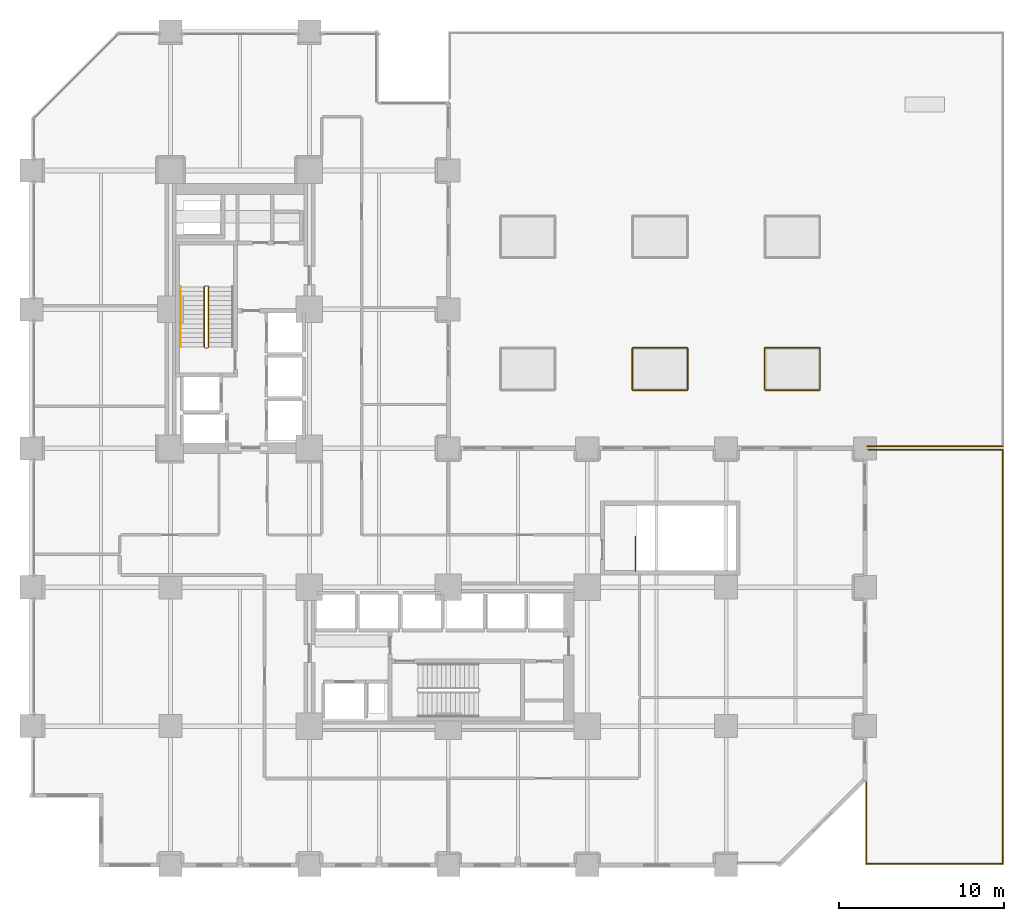
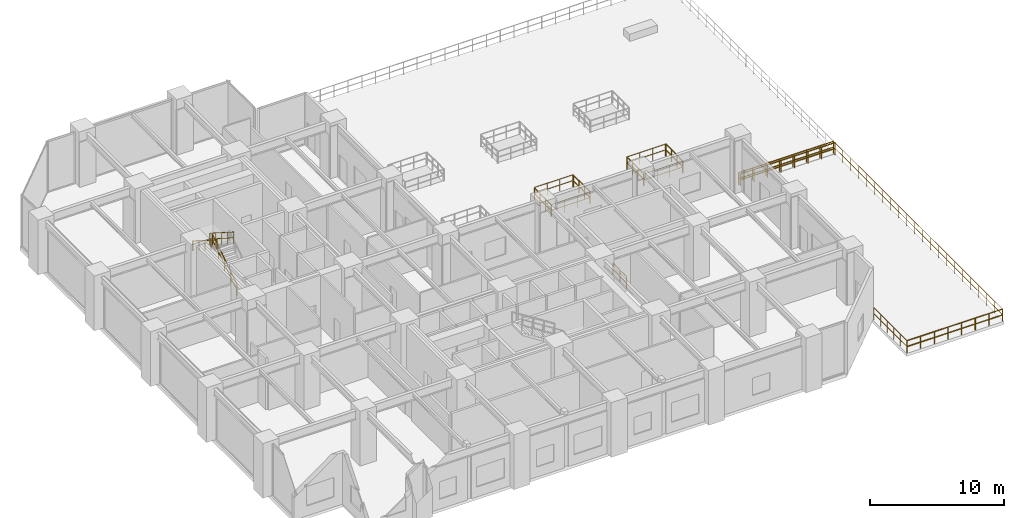
# One storey, part 19 of 21: 17 railings.
"""IFC4 building model written with IfcOpenShell, lengths in metres."""

from ifc_helpers import new_model, si_unit, direction, frame, origin, origin_2d, place, context, subcontext, project, spatial, circle, extrude, material, type_object, element, save


model = new_model("IFC4")

# Units and contexts
model_context = context("Model", 3, precision=1e-05, world=origin(), true_north=direction((0.0, 1.0)))
body_context = subcontext(model_context, "Body", "Model", "MODEL_VIEW")
ifc_project = project(units=[si_unit("LENGTHUNIT", "METRE"), si_unit("AREAUNIT", "SQUARE_METRE"), si_unit("VOLUMEUNIT", "CUBIC_METRE"), si_unit("PLANEANGLEUNIT", "RADIAN"), si_unit("MASSUNIT", "GRAM", prefix="KILO")], contexts=[model_context])

# Site, building, storey
site_placement = place(None, origin())
site = spatial("IfcSite", under=ifc_project, at=site_placement, CompositionType="ELEMENT")
building_placement = place(site_placement, origin())
building = spatial("IfcBuilding", under=site, at=building_placement, Name="Nerrivon Quay Data Exchange", CompositionType="ELEMENT")
storey_placement = place(building_placement, frame((0.0, 0.0, 19.800048828125)))
storey = spatial("IfcBuildingStorey", under=building, at=storey_placement, Name="L04", CompositionType="ELEMENT", Elevation=19.800048828125)

# Railings
ifc_material = material(Name="Steel Grade C350L0 (350 MPa)", Category="steel")
railing_type_1 = type_object("IfcRailingType", Name="RAIL-GUARD-GR2", PredefinedType="BALUSTRADE", material=ifc_material)
railing_1_placement = place(storey_placement, frame((36.35009765625, 28.719970703125, 0.0)))
element("IfcRailing", 1, at=railing_1_placement, inside=storey, type_object=railing_type_1, Name="L04 Atrium Skylight Guard 2 1", PredefinedType="BALUSTRADE", context=body_context, shape_type="SweptSolid", body=[
    extrude(circle(Radius=0.02392578125, at=origin_2d()), frame((0.0, 0.0, 1.09619140625), z_axis=(1.0, 0.0, 0.0), x_axis=(0.0, 1.0, 0.0)), (0.0, 0.0, 1.0), 3.2998046875),
    extrude(circle(Radius=0.02392578125, at=origin_2d()), frame((0.0, 0.0, 0.56005859375), z_axis=(1.0, 0.0, 0.0), x_axis=(0.0, 1.0, 0.0)), (0.0, 0.0, 1.0), 3.2998046875),
    extrude(circle(Radius=0.02099609375, at=origin_2d()), origin(), (0.0, 0.0, 1.0), 1.072021484375),
    extrude(circle(Radius=0.02099609375, at=origin_2d()), frame((1.099853515625, 0.0, 0.0)), (0.0, 0.0, 1.0), 1.072021484375),
    extrude(circle(Radius=0.02099609375, at=origin_2d()), frame((2.199951171875, 0.0, 0.0)), (0.0, 0.0, 1.0), 1.072021484375),
    extrude(circle(Radius=0.02099609375, at=origin_2d()), frame((3.2998046875, 0.0, 0.0)), (0.0, 0.0, 1.0), 1.072021484375),
])
railing_2_placement = place(storey_placement, frame((39.679931640625, 28.75, 0.0)))
element("IfcRailing", 2, at=railing_2_placement, inside=storey, type_object=railing_type_1, Name="L04 Atrium Skylight Guard 2 2", PredefinedType="BALUSTRADE", context=body_context, shape_type="SweptSolid", body=[
    extrude(circle(Radius=0.02392578125, at=origin_2d()), frame((0.0, 0.0, 1.09619140625), z_axis=(0.0, 1.0, 0.0), x_axis=(-1.0, 0.0, 0.0)), (0.0, 0.0, 1.0), 2.5),
    extrude(circle(Radius=0.02392578125, at=origin_2d()), frame((0.0, 0.0, 0.56005859375), z_axis=(0.0, 1.0, 0.0), x_axis=(-1.0, 0.0, 0.0)), (0.0, 0.0, 1.0), 2.5),
    extrude(circle(Radius=0.02099609375, at=origin_2d()), origin(), (0.0, 0.0, 1.0), 1.072021484375),
    extrude(circle(Radius=0.02099609375, at=origin_2d()), frame((0.0, 0.833251953125, 0.0)), (0.0, 0.0, 1.0), 1.072021484375),
    extrude(circle(Radius=0.02099609375, at=origin_2d()), frame((0.0, 1.666748046875, 0.0)), (0.0, 0.0, 1.0), 1.072021484375),
    extrude(circle(Radius=0.02099609375, at=origin_2d()), frame((0.0, 2.5, 0.0)), (0.0, 0.0, 1.0), 1.072021484375),
])
railing_3_placement = place(storey_placement, frame((39.64990234375, 31.280029296875, 0.0)))
element("IfcRailing", 3, at=railing_3_placement, inside=storey, type_object=railing_type_1, Name="L04 Atrium Skylight Guard 2 3", PredefinedType="BALUSTRADE", context=body_context, shape_type="SweptSolid", body=[
    extrude(circle(Radius=0.02392578125, at=origin_2d()), frame((0.0, 0.0, 1.09619140625), z_axis=(-1.0, 0.0, 0.0), x_axis=(0.0, -1.0, 0.0)), (0.0, 0.0, 1.0), 3.2998046875),
    extrude(circle(Radius=0.02392578125, at=origin_2d()), frame((0.0, 0.0, 0.56005859375), z_axis=(-1.0, 0.0, 0.0), x_axis=(0.0, -1.0, 0.0)), (0.0, 0.0, 1.0), 3.2998046875),
    extrude(circle(Radius=0.02099609375, at=origin_2d()), origin(), (0.0, 0.0, 1.0), 1.072021484375),
    extrude(circle(Radius=0.02099609375, at=origin_2d()), frame((-1.099853515625, 0.0, 0.0)), (0.0, 0.0, 1.0), 1.072021484375),
    extrude(circle(Radius=0.02099609375, at=origin_2d()), frame((-2.199951171875, 0.0, 0.0)), (0.0, 0.0, 1.0), 1.072021484375),
    extrude(circle(Radius=0.02099609375, at=origin_2d()), frame((-3.2998046875, 0.0, 0.0)), (0.0, 0.0, 1.0), 1.072021484375),
])
railing_4_placement = place(storey_placement, frame((36.320068359375, 31.25, 0.0)))
element("IfcRailing", 4, at=railing_4_placement, inside=storey, type_object=railing_type_1, Name="L04 Atrium Skylight Guard 2 4", PredefinedType="BALUSTRADE", context=body_context, shape_type="SweptSolid", body=[
    extrude(circle(Radius=0.02392578125, at=origin_2d()), frame((0.0, 0.0, 1.09619140625), z_axis=(0.0, -1.0, 0.0), x_axis=(1.0, 0.0, 0.0)), (0.0, 0.0, 1.0), 2.5),
    extrude(circle(Radius=0.02392578125, at=origin_2d()), frame((0.0, 0.0, 0.56005859375), z_axis=(0.0, -1.0, 0.0), x_axis=(1.0, 0.0, 0.0)), (0.0, 0.0, 1.0), 2.5),
    extrude(circle(Radius=0.02099609375, at=origin_2d()), origin(), (0.0, 0.0, 1.0), 1.072021484375),
    extrude(circle(Radius=0.02099609375, at=origin_2d()), frame((0.0, -0.833251953125, 0.0)), (0.0, 0.0, 1.0), 1.072021484375),
    extrude(circle(Radius=0.02099609375, at=origin_2d()), frame((0.0, -1.666748046875, 0.0)), (0.0, 0.0, 1.0), 1.072021484375),
    extrude(circle(Radius=0.02099609375, at=origin_2d()), frame((0.0, -2.5, 0.0)), (0.0, 0.0, 1.0), 1.072021484375),
])
railing_5_placement = place(storey_placement, frame((44.35009765625, 28.719970703125, 0.0)))
element("IfcRailing", 5, at=railing_5_placement, inside=storey, type_object=railing_type_1, Name="L04 Atrium Skylight Guard 3 1", PredefinedType="BALUSTRADE", context=body_context, shape_type="SweptSolid", body=[
    extrude(circle(Radius=0.02392578125, at=origin_2d()), frame((0.0, 0.0, 1.09619140625), z_axis=(1.0, 0.0, 0.0), x_axis=(0.0, 1.0, 0.0)), (0.0, 0.0, 1.0), 3.2998046875),
    extrude(circle(Radius=0.02392578125, at=origin_2d()), frame((0.0, 0.0, 0.56005859375), z_axis=(1.0, 0.0, 0.0), x_axis=(0.0, 1.0, 0.0)), (0.0, 0.0, 1.0), 3.2998046875),
    extrude(circle(Radius=0.02099609375, at=origin_2d()), origin(), (0.0, 0.0, 1.0), 1.072021484375),
    extrude(circle(Radius=0.02099609375, at=origin_2d()), frame((1.099853515625, 0.0, 0.0)), (0.0, 0.0, 1.0), 1.072021484375),
    extrude(circle(Radius=0.02099609375, at=origin_2d()), frame((2.199951171875, 0.0, 0.0)), (0.0, 0.0, 1.0), 1.072021484375),
    extrude(circle(Radius=0.02099609375, at=origin_2d()), frame((3.2998046875, 0.0, 0.0)), (0.0, 0.0, 1.0), 1.072021484375),
])
railing_6_placement = place(storey_placement, frame((47.679931640625, 28.75, 0.0)))
element("IfcRailing", 6, at=railing_6_placement, inside=storey, type_object=railing_type_1, Name="L04 Atrium Skylight Guard 3 2", PredefinedType="BALUSTRADE", context=body_context, shape_type="SweptSolid", body=[
    extrude(circle(Radius=0.02392578125, at=origin_2d()), frame((0.0, 0.0, 1.09619140625), z_axis=(0.0, 1.0, 0.0), x_axis=(-1.0, 0.0, 0.0)), (0.0, 0.0, 1.0), 2.5),
    extrude(circle(Radius=0.02392578125, at=origin_2d()), frame((0.0, 0.0, 0.56005859375), z_axis=(0.0, 1.0, 0.0), x_axis=(-1.0, 0.0, 0.0)), (0.0, 0.0, 1.0), 2.5),
    extrude(circle(Radius=0.02099609375, at=origin_2d()), origin(), (0.0, 0.0, 1.0), 1.072021484375),
    extrude(circle(Radius=0.02099609375, at=origin_2d()), frame((0.0, 0.833251953125, 0.0)), (0.0, 0.0, 1.0), 1.072021484375),
    extrude(circle(Radius=0.02099609375, at=origin_2d()), frame((0.0, 1.666748046875, 0.0)), (0.0, 0.0, 1.0), 1.072021484375),
    extrude(circle(Radius=0.02099609375, at=origin_2d()), frame((0.0, 2.5, 0.0)), (0.0, 0.0, 1.0), 1.072021484375),
])
railing_7_placement = place(storey_placement, frame((47.64990234375, 31.280029296875, 0.0)))
element("IfcRailing", 7, at=railing_7_placement, inside=storey, type_object=railing_type_1, Name="L04 Atrium Skylight Guard 3 3", PredefinedType="BALUSTRADE", context=body_context, shape_type="SweptSolid", body=[
    extrude(circle(Radius=0.02392578125, at=origin_2d()), frame((0.0, 0.0, 1.09619140625), z_axis=(-1.0, 0.0, 0.0), x_axis=(0.0, -1.0, 0.0)), (0.0, 0.0, 1.0), 3.2998046875),
    extrude(circle(Radius=0.02392578125, at=origin_2d()), frame((0.0, 0.0, 0.56005859375), z_axis=(-1.0, 0.0, 0.0), x_axis=(0.0, -1.0, 0.0)), (0.0, 0.0, 1.0), 3.2998046875),
    extrude(circle(Radius=0.02099609375, at=origin_2d()), origin(), (0.0, 0.0, 1.0), 1.072021484375),
    extrude(circle(Radius=0.02099609375, at=origin_2d()), frame((-1.099853515625, 0.0, 0.0)), (0.0, 0.0, 1.0), 1.072021484375),
    extrude(circle(Radius=0.02099609375, at=origin_2d()), frame((-2.199951171875, 0.0, 0.0)), (0.0, 0.0, 1.0), 1.072021484375),
    extrude(circle(Radius=0.02099609375, at=origin_2d()), frame((-3.2998046875, 0.0, 0.0)), (0.0, 0.0, 1.0), 1.072021484375),
])
railing_8_placement = place(storey_placement, frame((44.320068359375, 31.25, 0.0)))
element("IfcRailing", 8, at=railing_8_placement, inside=storey, type_object=railing_type_1, Name="L04 Atrium Skylight Guard 3 4", PredefinedType="BALUSTRADE", context=body_context, shape_type="SweptSolid", body=[
    extrude(circle(Radius=0.02392578125, at=origin_2d()), frame((0.0, 0.0, 1.09619140625), z_axis=(0.0, -1.0, 0.0), x_axis=(1.0, 0.0, 0.0)), (0.0, 0.0, 1.0), 2.5),
    extrude(circle(Radius=0.02392578125, at=origin_2d()), frame((0.0, 0.0, 0.56005859375), z_axis=(0.0, -1.0, 0.0), x_axis=(1.0, 0.0, 0.0)), (0.0, 0.0, 1.0), 2.5),
    extrude(circle(Radius=0.02099609375, at=origin_2d()), origin(), (0.0, 0.0, 1.0), 1.072021484375),
    extrude(circle(Radius=0.02099609375, at=origin_2d()), frame((0.0, -0.833251953125, 0.0)), (0.0, 0.0, 1.0), 1.072021484375),
    extrude(circle(Radius=0.02099609375, at=origin_2d()), frame((0.0, -1.666748046875, 0.0)), (0.0, 0.0, 1.0), 1.072021484375),
    extrude(circle(Radius=0.02099609375, at=origin_2d()), frame((0.0, -2.5, 0.0)), (0.0, 0.0, 1.0), 1.072021484375),
])
railing_9_placement = place(storey_placement, frame((58.719970703125, 25.320068359375, 0.0)))
element("IfcRailing", 9, at=railing_9_placement, inside=storey, type_object=railing_type_1, Name="L04 Terrace Perimeter Guard 1.4 1", PredefinedType="BALUSTRADE", context=body_context, shape_type="SweptSolid", body=[
    extrude(circle(Radius=0.02392578125, at=origin_2d()), frame((0.0, 0.0, 1.09619140625), z_axis=(-1.0, 0.0, 0.0), x_axis=(0.0, -1.0, 0.0)), (0.0, 0.0, 1.0), 8.18603515625),
    extrude(circle(Radius=0.02392578125, at=origin_2d()), frame((0.0, 0.0, 0.56005859375), z_axis=(-1.0, 0.0, 0.0), x_axis=(0.0, -1.0, 0.0)), (0.0, 0.0, 1.0), 8.18603515625),
    extrude(circle(Radius=0.02099609375, at=origin_2d()), origin(), (0.0, 0.0, 1.0), 1.072021484375),
    extrude(circle(Radius=0.02099609375, at=origin_2d()), frame((-1.16943359375, 0.0, 0.0)), (0.0, 0.0, 1.0), 1.072021484375),
    extrude(circle(Radius=0.02099609375, at=origin_2d()), frame((-2.3388671875, 0.0, 0.0)), (0.0, 0.0, 1.0), 1.072021484375),
    extrude(circle(Radius=0.02099609375, at=origin_2d()), frame((-3.50830078125, 0.0, 0.0)), (0.0, 0.0, 1.0), 1.072021484375),
    extrude(circle(Radius=0.02099609375, at=origin_2d()), frame((-4.677734375, 0.0, 0.0)), (0.0, 0.0, 1.0), 1.072021484375),
    extrude(circle(Radius=0.02099609375, at=origin_2d()), frame((-5.84716796875, 0.0, 0.0)), (0.0, 0.0, 1.0), 1.072021484375),
    extrude(circle(Radius=0.02099609375, at=origin_2d()), frame((-7.0166015625, 0.0, 0.0)), (0.0, 0.0, 1.0), 1.072021484375),
    extrude(circle(Radius=0.02099609375, at=origin_2d()), frame((-8.18603515625, 0.0, 0.0)), (0.0, 0.0, 1.0), 1.072021484375),
])
railing_10_placement = place(storey_placement, frame((50.47998046875, 0.080078125, 0.0)))
element("IfcRailing", 10, at=railing_10_placement, inside=storey, type_object=railing_type_1, Name="L04 Terrace Perimeter Guard 2.1 1", PredefinedType="BALUSTRADE", context=body_context, shape_type="SweptSolid", body=[
    extrude(circle(Radius=0.02392578125, at=origin_2d()), frame((0.0, 0.0, 1.09619140625), z_axis=(0.0, 1.0, 0.0), x_axis=(-1.0, 0.0, 0.0)), (0.0, 0.0, 1.0), 4.9453125),
    extrude(circle(Radius=0.02392578125, at=origin_2d()), frame((0.0, 0.0, 0.56005859375), z_axis=(0.0, 1.0, 0.0), x_axis=(-1.0, 0.0, 0.0)), (0.0, 0.0, 1.0), 4.9453125),
    extrude(circle(Radius=0.02099609375, at=origin_2d()), origin(), (0.0, 0.0, 1.0), 1.072021484375),
    extrude(circle(Radius=0.02099609375, at=origin_2d()), frame((0.0, 0.989013671875, 0.0)), (0.0, 0.0, 1.0), 1.072021484375),
    extrude(circle(Radius=0.02099609375, at=origin_2d()), frame((0.0, 1.97802734375, 0.0)), (0.0, 0.0, 1.0), 1.072021484375),
    extrude(circle(Radius=0.02099609375, at=origin_2d()), frame((0.0, 2.96728515625, 0.0)), (0.0, 0.0, 1.0), 1.072021484375),
    extrude(circle(Radius=0.02099609375, at=origin_2d()), frame((0.0, 3.956298828125, 0.0)), (0.0, 0.0, 1.0), 1.072021484375),
    extrude(circle(Radius=0.02099609375, at=origin_2d()), frame((0.0, 4.9453125, 0.0)), (0.0, 0.0, 1.0), 1.072021484375),
])
railing_11_placement = place(storey_placement, frame((50.580078125, 25.1201171875, 0.0)))
element("IfcRailing", 11, at=railing_11_placement, inside=storey, type_object=railing_type_1, Name="L04 Terrace Perimeter Guard 2.2 1", PredefinedType="BALUSTRADE", context=body_context, shape_type="SweptSolid", body=[
    extrude(circle(Radius=0.02392578125, at=origin_2d()), frame((0.0, 0.0, 1.09619140625), z_axis=(1.0, 0.0, 0.0), x_axis=(0.0, 1.0, 0.0)), (0.0, 0.0, 1.0), 8.139892578125),
    extrude(circle(Radius=0.02392578125, at=origin_2d()), frame((0.0, 0.0, 0.56005859375), z_axis=(1.0, 0.0, 0.0), x_axis=(0.0, 1.0, 0.0)), (0.0, 0.0, 1.0), 8.139892578125),
    extrude(circle(Radius=0.02099609375, at=origin_2d()), origin(), (0.0, 0.0, 1.0), 1.072021484375),
    extrude(circle(Radius=0.02099609375, at=origin_2d()), frame((1.162841796875, 0.0, 0.0)), (0.0, 0.0, 1.0), 1.072021484375),
    extrude(circle(Radius=0.02099609375, at=origin_2d()), frame((2.32568359375, 0.0, 0.0)), (0.0, 0.0, 1.0), 1.072021484375),
    extrude(circle(Radius=0.02099609375, at=origin_2d()), frame((3.488525390625, 0.0, 0.0)), (0.0, 0.0, 1.0), 1.072021484375),
    extrude(circle(Radius=0.02099609375, at=origin_2d()), frame((4.6513671875, 0.0, 0.0)), (0.0, 0.0, 1.0), 1.072021484375),
    extrude(circle(Radius=0.02099609375, at=origin_2d()), frame((5.814208984375, 0.0, 0.0)), (0.0, 0.0, 1.0), 1.072021484375),
    extrude(circle(Radius=0.02099609375, at=origin_2d()), frame((6.97705078125, 0.0, 0.0)), (0.0, 0.0, 1.0), 1.072021484375),
    extrude(circle(Radius=0.02099609375, at=origin_2d()), frame((8.139892578125, 0.0, 0.0)), (0.0, 0.0, 1.0), 1.072021484375),
])
railing_12_placement = place(storey_placement, frame((58.719970703125, 25.1201171875, 0.0)))
element("IfcRailing", 12, at=railing_12_placement, inside=storey, type_object=railing_type_1, Name="L04 Terrace Perimeter Guard 2.3 1", PredefinedType="BALUSTRADE", context=body_context, shape_type="SweptSolid", body=[
    extrude(circle(Radius=0.02392578125, at=origin_2d()), frame((0.0, 0.0, 1.09619140625), z_axis=(0.0, -1.0, 0.0), x_axis=(1.0, 0.0, 0.0)), (0.0, 0.0, 1.0), 25.0400390625),
    extrude(circle(Radius=0.02392578125, at=origin_2d()), frame((0.0, 0.0, 0.56005859375), z_axis=(0.0, -1.0, 0.0), x_axis=(1.0, 0.0, 0.0)), (0.0, 0.0, 1.0), 25.0400390625),
    extrude(circle(Radius=0.02099609375, at=origin_2d()), origin(), (0.0, 0.0, 1.0), 1.072021484375),
    extrude(circle(Radius=0.02099609375, at=origin_2d()), frame((0.0, -1.1923828125, 0.0)), (0.0, 0.0, 1.0), 1.072021484375),
    extrude(circle(Radius=0.02099609375, at=origin_2d()), frame((0.0, -2.384765625, 0.0)), (0.0, 0.0, 1.0), 1.072021484375),
    extrude(circle(Radius=0.02099609375, at=origin_2d()), frame((0.0, -3.5771484375, 0.0)), (0.0, 0.0, 1.0), 1.072021484375),
    extrude(circle(Radius=0.02099609375, at=origin_2d()), frame((0.0, -4.76953125, 0.0)), (0.0, 0.0, 1.0), 1.072021484375),
    extrude(circle(Radius=0.02099609375, at=origin_2d()), frame((0.0, -5.9619140625, 0.0)), (0.0, 0.0, 1.0), 1.072021484375),
    extrude(circle(Radius=0.02099609375, at=origin_2d()), frame((0.0, -7.154296875, 0.0)), (0.0, 0.0, 1.0), 1.072021484375),
    extrude(circle(Radius=0.02099609375, at=origin_2d()), frame((0.0, -8.3466796875, 0.0)), (0.0, 0.0, 1.0), 1.072021484375),
    extrude(circle(Radius=0.02099609375, at=origin_2d()), frame((0.0, -9.5390625, 0.0)), (0.0, 0.0, 1.0), 1.072021484375),
    extrude(circle(Radius=0.02099609375, at=origin_2d()), frame((0.0, -10.7314453125, 0.0)), (0.0, 0.0, 1.0), 1.072021484375),
    extrude(circle(Radius=0.02099609375, at=origin_2d()), frame((0.0, -11.923828125, 0.0)), (0.0, 0.0, 1.0), 1.072021484375),
    extrude(circle(Radius=0.02099609375, at=origin_2d()), frame((0.0, -13.1162109375, 0.0)), (0.0, 0.0, 1.0), 1.072021484375),
    extrude(circle(Radius=0.02099609375, at=origin_2d()), frame((0.0, -14.30859375, 0.0)), (0.0, 0.0, 1.0), 1.072021484375),
    extrude(circle(Radius=0.02099609375, at=origin_2d()), frame((0.0, -15.5009765625, 0.0)), (0.0, 0.0, 1.0), 1.072021484375),
    extrude(circle(Radius=0.02099609375, at=origin_2d()), frame((0.0, -16.693359375, 0.0)), (0.0, 0.0, 1.0), 1.072021484375),
    extrude(circle(Radius=0.02099609375, at=origin_2d()), frame((0.0, -17.8857421875, 0.0)), (0.0, 0.0, 1.0), 1.072021484375),
    extrude(circle(Radius=0.02099609375, at=origin_2d()), frame((0.0, -19.078125, 0.0)), (0.0, 0.0, 1.0), 1.072021484375),
    extrude(circle(Radius=0.02099609375, at=origin_2d()), frame((0.0, -20.2705078125, 0.0)), (0.0, 0.0, 1.0), 1.072021484375),
    extrude(circle(Radius=0.02099609375, at=origin_2d()), frame((0.0, -21.462890625, 0.0)), (0.0, 0.0, 1.0), 1.072021484375),
    extrude(circle(Radius=0.02099609375, at=origin_2d()), frame((0.0, -22.6552734375, 0.0)), (0.0, 0.0, 1.0), 1.072021484375),
    extrude(circle(Radius=0.02099609375, at=origin_2d()), frame((0.0, -23.84765625, 0.0)), (0.0, 0.0, 1.0), 1.072021484375),
    extrude(circle(Radius=0.02099609375, at=origin_2d()), frame((0.0, -25.0400390625, 0.0)), (0.0, 0.0, 1.0), 1.072021484375),
])
railing_13_placement = place(storey_placement, frame((58.719970703125, 0.080078125, 0.0)))
element("IfcRailing", 13, at=railing_13_placement, inside=storey, type_object=railing_type_1, Name="L04 Terrace Perimeter Guard 2.4 1", PredefinedType="BALUSTRADE", context=body_context, shape_type="SweptSolid", body=[
    extrude(circle(Radius=0.02392578125, at=origin_2d()), frame((0.0, 0.0, 1.09619140625), z_axis=(-1.0, 0.0, 0.0), x_axis=(0.0, -1.0, 0.0)), (0.0, 0.0, 1.0), 8.239990234375),
    extrude(circle(Radius=0.02392578125, at=origin_2d()), frame((0.0, 0.0, 0.56005859375), z_axis=(-1.0, 0.0, 0.0), x_axis=(0.0, -1.0, 0.0)), (0.0, 0.0, 1.0), 8.239990234375),
    extrude(circle(Radius=0.02099609375, at=origin_2d()), origin(), (0.0, 0.0, 1.0), 1.072021484375),
    extrude(circle(Radius=0.02099609375, at=origin_2d()), frame((-1.17724609375, 0.0, 0.0)), (0.0, 0.0, 1.0), 1.072021484375),
    extrude(circle(Radius=0.02099609375, at=origin_2d()), frame((-2.354248046875, 0.0, 0.0)), (0.0, 0.0, 1.0), 1.072021484375),
    extrude(circle(Radius=0.02099609375, at=origin_2d()), frame((-3.531494140625, 0.0, 0.0)), (0.0, 0.0, 1.0), 1.072021484375),
    extrude(circle(Radius=0.02099609375, at=origin_2d()), frame((-4.70849609375, 0.0, 0.0)), (0.0, 0.0, 1.0), 1.072021484375),
    extrude(circle(Radius=0.02099609375, at=origin_2d()), frame((-5.8857421875, 0.0, 0.0)), (0.0, 0.0, 1.0), 1.072021484375),
    extrude(circle(Radius=0.02099609375, at=origin_2d()), frame((-7.062744140625, 0.0, 0.0)), (0.0, 0.0, 1.0), 1.072021484375),
    extrude(circle(Radius=0.02099609375, at=origin_2d()), frame((-8.239990234375, 0.0, 0.0)), (0.0, 0.0, 1.0), 1.072021484375),
])
railing_type_2 = type_object("IfcRailingType", Name="RAIL-HAND-HR1", PredefinedType="HANDRAIL", material=ifc_material)
railing_14_placement = place(storey_placement, frame((9.0, 34.969970703125, 2.678466796875)))
element("IfcRailing", 14, at=railing_14_placement, inside=storey, type_object=railing_type_2, Name="L04 ST01 stair handrail 2", PredefinedType="HANDRAIL", context=body_context, shape_type="SweptSolid", body=[
    extrude(circle(Radius=0.02392578125, at=origin_2d()), frame((0.0, 0.0, 0.8759765625), z_axis=(0.0, -0.843111507901, 0.53773877045), x_axis=(1.0, 0.0, 0.0)), (0.0, 0.0, 1.0), 4.317138671875),
    extrude(circle(Radius=0.02099609375, at=origin_2d()), origin(), (0.0, 0.0, 1.0), 0.851806640625),
    extrude(circle(Radius=0.02099609375, at=origin_2d()), frame((0.0, -0.909912109375, 0.580322265625)), (0.0, 0.0, 1.0), 0.851806640625),
    extrude(circle(Radius=0.02099609375, at=origin_2d()), frame((0.0, -1.81982421875, 1.16064453125)), (0.0, 0.0, 1.0), 0.851806640625),
    extrude(circle(Radius=0.02099609375, at=origin_2d()), frame((0.0, -2.72998046875, 1.7412109375)), (0.0, 0.0, 1.0), 0.851806640625),
    extrude(circle(Radius=0.02099609375, at=origin_2d()), frame((0.0, -3.639892578125, 2.321533203125)), (0.0, 0.0, 1.0), 0.851806640625),
])
railing_type_3 = type_object("IfcRailingType", Name="RAIL-STAIR-GR1", PredefinedType="BALUSTRADE", material=ifc_material)
railing_15_placement = place(storey_placement, frame((10.699951171875, 31.330078125, 0.178466796875)))
element("IfcRailing", 15, at=railing_15_placement, inside=storey, type_object=railing_type_3, Name="L04 ST01 stair guard 1", PredefinedType="BALUSTRADE", context=body_context, shape_type="SweptSolid", body=[
    extrude(circle(Radius=0.02392578125, at=origin_2d()), frame((0.0, 0.0, 1.076171875), z_axis=(0.0, 0.843111507901, 0.53773877045), x_axis=(-1.0, 0.0, 0.0)), (0.0, 0.0, 1.0), 4.317138671875),
    extrude(circle(Radius=0.02392578125, at=origin_2d()), frame((0.0, 0.0, 0.550048828125), z_axis=(0.0, 0.843111507901, 0.53773877045), x_axis=(-1.0, 0.0, 0.0)), (0.0, 0.0, 1.0), 4.317138671875),
    extrude(circle(Radius=0.02099609375, at=origin_2d()), origin(), (0.0, 0.0, 1.0), 1.052001953125),
    extrude(circle(Radius=0.02099609375, at=origin_2d()), frame((0.0, 0.909912109375, 0.580322265625)), (0.0, 0.0, 1.0), 1.052001953125),
    extrude(circle(Radius=0.02099609375, at=origin_2d()), frame((0.0, 1.81982421875, 1.16064453125)), (0.0, 0.0, 1.0), 1.052001953125),
    extrude(circle(Radius=0.02099609375, at=origin_2d()), frame((0.0, 2.72998046875, 1.7412109375)), (0.0, 0.0, 1.0), 1.052001953125),
    extrude(circle(Radius=0.02099609375, at=origin_2d()), frame((0.0, 3.639892578125, 2.321533203125)), (0.0, 0.0, 1.0), 1.052001953125),
])
railing_16_placement = place(storey_placement, frame((10.449951171875, 34.969970703125, 2.678466796875)))
element("IfcRailing", 16, at=railing_16_placement, inside=storey, type_object=railing_type_3, Name="L04 ST01 stair guard 3", PredefinedType="BALUSTRADE", context=body_context, shape_type="SweptSolid", body=[
    extrude(circle(Radius=0.02392578125, at=origin_2d()), frame((0.0, 0.0, 1.076171875), z_axis=(0.0, -0.843111507901, 0.53773877045), x_axis=(1.0, 0.0, 0.0)), (0.0, 0.0, 1.0), 4.317138671875),
    extrude(circle(Radius=0.02392578125, at=origin_2d()), frame((0.0, 0.0, 0.550048828125), z_axis=(0.0, -0.843111507901, 0.53773877045), x_axis=(1.0, 0.0, 0.0)), (0.0, 0.0, 1.0), 4.317138671875),
    extrude(circle(Radius=0.02099609375, at=origin_2d()), origin(), (0.0, 0.0, 1.0), 1.052001953125),
    extrude(circle(Radius=0.02099609375, at=origin_2d()), frame((0.0, -0.909912109375, 0.580322265625)), (0.0, 0.0, 1.0), 1.052001953125),
    extrude(circle(Radius=0.02099609375, at=origin_2d()), frame((0.0, -1.81982421875, 1.16064453125)), (0.0, 0.0, 1.0), 1.052001953125),
    extrude(circle(Radius=0.02099609375, at=origin_2d()), frame((0.0, -2.72998046875, 1.7412109375)), (0.0, 0.0, 1.0), 1.052001953125),
    extrude(circle(Radius=0.02099609375, at=origin_2d()), frame((0.0, -3.639892578125, 2.321533203125)), (0.0, 0.0, 1.0), 1.052001953125),
])
railing_17_placement = place(storey_placement, frame((36.52001953125, 17.800048828125, 0.0)))
element("IfcRailing", 17, at=railing_17_placement, inside=storey, type_object=railing_type_3, Name="L04 ST03 top well guard 1", PredefinedType="BALUSTRADE", context=body_context, shape_type="SweptSolid", body=[
    extrude(circle(Radius=0.02392578125, at=origin_2d()), frame((0.0, 0.0, 1.076171875), z_axis=(0.0, 1.0, 0.0), x_axis=(-1.0, 0.0, 0.0)), (0.0, 0.0, 1.0), 2.050048828125),
    extrude(circle(Radius=0.02392578125, at=origin_2d()), frame((0.0, 0.0, 0.550048828125), z_axis=(0.0, 1.0, 0.0), x_axis=(-1.0, 0.0, 0.0)), (0.0, 0.0, 1.0), 2.050048828125),
    extrude(circle(Radius=0.02099609375, at=origin_2d()), origin(), (0.0, 0.0, 1.0), 1.052001953125),
    extrude(circle(Radius=0.02099609375, at=origin_2d()), frame((0.0, 1.02490234375, 0.0)), (0.0, 0.0, 1.0), 1.052001953125),
    extrude(circle(Radius=0.02099609375, at=origin_2d()), frame((0.0, 2.050048828125, 0.0)), (0.0, 0.0, 1.0), 1.052001953125),
])

save(model, "model.ifc")
